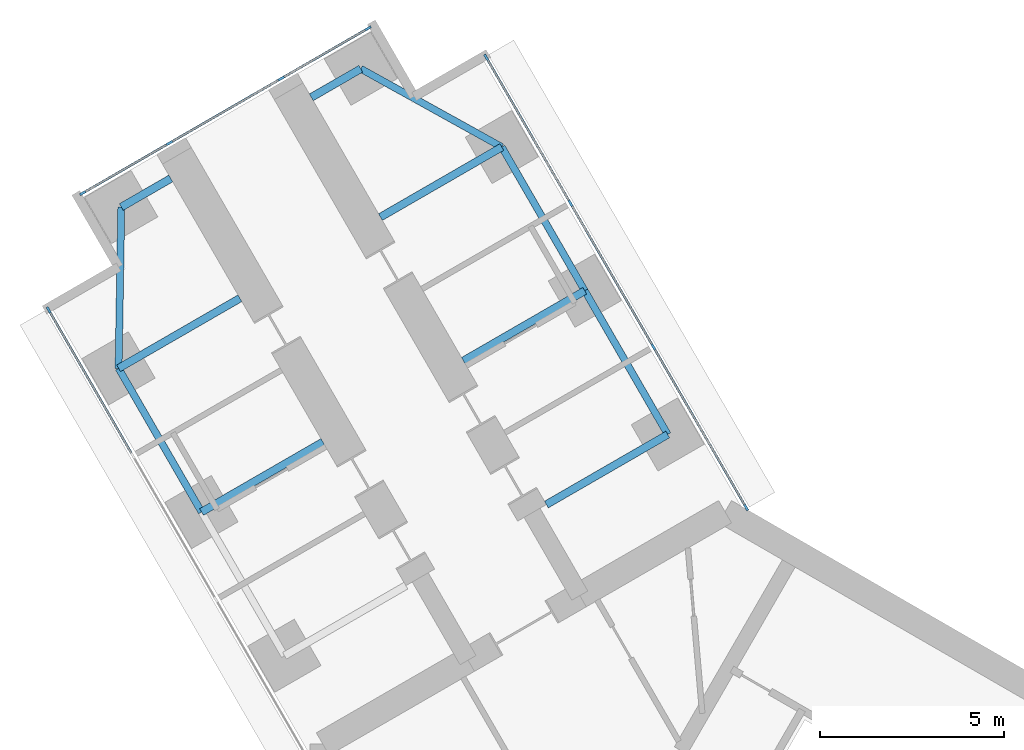
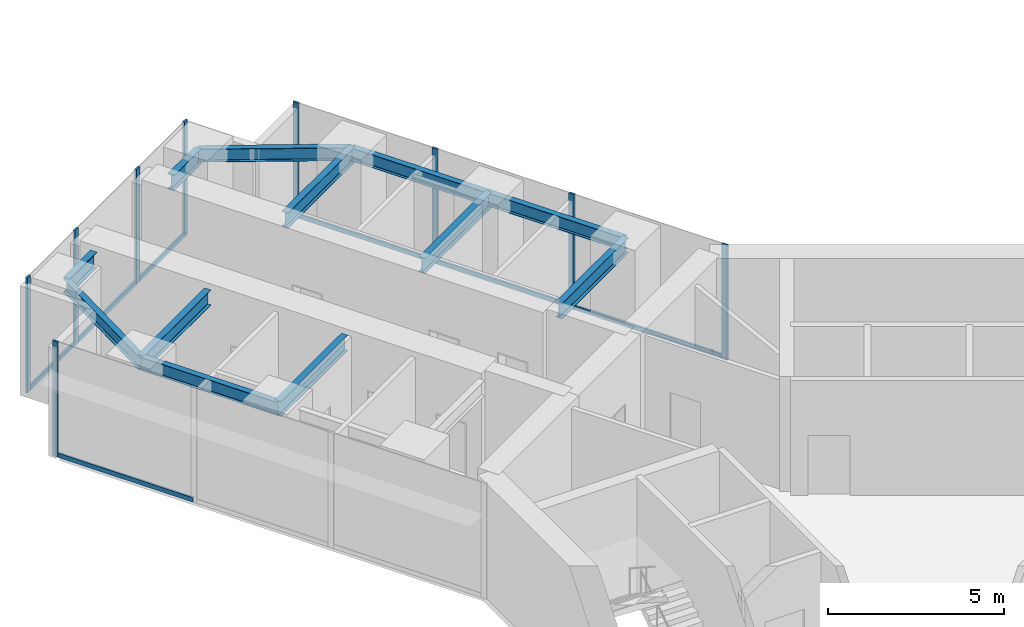
# One storey, part 7 of 24: 16 members, 12 beams, 3 elements without a shape of their own.
"""IFC4 building model written with IfcOpenShell, lengths in metres."""

import ifcopenshell
import ifcopenshell.guid

model = None  # the IFC model being written
_history = None  # IfcOwnerHistory: only IFC2X3 demands one
_inside = {}  # id of a spatial element -> (the spatial element, [elements in it])
_under = {}  # id of a project, library or spatial element -> (it, [spatial elements below it])
_declared = {}  # id of a project -> (the project, [libraries it declares])
_typed = {}  # id of a type object -> (the type object, [elements of that type])
_made_of = {}  # id of a material, layer set ... -> (it, [elements and type objects made of it])


def new_model(schema):
    """Start an empty IFC model of exactly this schema.

    Asked for "IFC4X3", IfcOpenShell would pick the latest addendum, in which some entities
    have other attributes; the version numbers below select the first issue.
    IFC2X3 requires an IfcOwnerHistory on every rooted entity: one is made here for all.
    """
    global model, _history
    if schema == "IFC4X3":
        model = ifcopenshell.file(schema_version=(4, 3, 0, 0))
    else:
        model = ifcopenshell.file(schema=schema)
    _inside.clear()
    _under.clear()
    _declared.clear()
    _typed.clear()
    _made_of.clear()
    _history = None
    if model.schema == "IFC2X3":
        org = make("IfcOrganization", Name="unknown")
        user = make(
            "IfcPersonAndOrganization",
            ThePerson=make("IfcPerson", FamilyName="unknown"),
            TheOrganization=org,
        )
        app = make(
            "IfcApplication",
            ApplicationDeveloper=org,
            Version="unknown",
            ApplicationFullName="unknown",
            ApplicationIdentifier="unknown",
        )
        _history = make(
            "IfcOwnerHistory",
            OwningUser=user,
            OwningApplication=app,
            ChangeAction="ADDED",
            CreationDate=0,
        )
    return model


def make(cls, **values):
    """One entity of the class cls with the attributes given. An attribute that is None is left unset."""
    return model.create_entity(
        cls, **{name: value for name, value in values.items() if value is not None}
    )


def rooted(cls, **values):
    """An entity with a GlobalId (a new one), such as an element, a storey or a relation."""
    return make(cls, GlobalId=ifcopenshell.guid.new(), OwnerHistory=_history, **values)


def si_unit(unit_type, name, prefix=None):
    """IfcSIUnit, for example si_unit("LENGTHUNIT", "METRE", prefix="MILLI")."""
    return make("IfcSIUnit", UnitType=unit_type, Prefix=prefix, Name=name)


def assignment(units):
    """IfcUnitAssignment: the units of a project."""
    return None if units is None else make("IfcUnitAssignment", Units=units)


def point(xyz):
    """IfcCartesianPoint."""
    return None if xyz is None else make("IfcCartesianPoint", Coordinates=xyz)


def direction(xyz):
    """IfcDirection."""
    return None if xyz is None else make("IfcDirection", DirectionRatios=xyz)


def frame(location, z_axis=None, x_axis=None):
    """IfcAxis2Placement3D, a coordinate frame: its origin and axes. An axis left out is left unset."""
    return make(
        "IfcAxis2Placement3D",
        Location=point(location),
        Axis=direction(z_axis),
        RefDirection=direction(x_axis),
    )


def frame_2d(location, x_axis=None):
    """IfcAxis2Placement2D, a coordinate frame in the plane: its origin and x axis."""
    return make(
        "IfcAxis2Placement2D", Location=point(location), RefDirection=direction(x_axis)
    )


def origin():
    """The frame at (0, 0, 0) with its axes left unset."""
    return frame((0.0, 0.0, 0.0))


def origin_2d():
    """The frame at (0, 0) in the plane with its x axis left unset."""
    return frame_2d((0.0, 0.0))


def place(relative_to, where):
    """IfcLocalPlacement: puts the frame where relative to a parent placement (None: the world)."""
    return make(
        "IfcLocalPlacement", PlacementRelTo=relative_to, RelativePlacement=where
    )


def context(
    kind, dimensions, precision=None, world=None, true_north=None, identifier=None
):
    """IfcGeometricRepresentationContext, for example the 3D "Model" context."""
    return make(
        "IfcGeometricRepresentationContext",
        ContextIdentifier=identifier,
        ContextType=kind,
        CoordinateSpaceDimension=dimensions,
        Precision=precision,
        WorldCoordinateSystem=world,
        TrueNorth=true_north,
    )


def subcontext(parent, identifier, kind, view, scale=None):
    """IfcGeometricRepresentationSubContext, for example "Body" below "Model"."""
    return make(
        "IfcGeometricRepresentationSubContext",
        ContextIdentifier=identifier,
        ContextType=kind,
        ParentContext=parent,
        TargetScale=scale,
        TargetView=view,
    )


def project(units=None, contexts=None):
    """IfcProject with its units and contexts."""
    return rooted(
        "IfcProject",
        Name="project",
        RepresentationContexts=contexts,
        UnitsInContext=assignment(units),
    )


def spatial(cls, under=None, at=None, **own):
    """A site, building, storey or space (cls), placed at a placement, below another one or the project."""
    s = rooted(cls, ObjectPlacement=at, **own)
    if under is not None:
        _under.setdefault(under.id(), (under, []))[1].append(s)
    return s


def profile(cls, at=None, kind="AREA", **sizes):
    """A parametric profile (cls). Its sizes go by their IFC names, for example OverallWidth=200.0."""
    return make(cls, ProfileType=kind, Position=at, **sizes)


def rectangle(**sizes):
    """IfcRectangleProfileDef."""
    return profile("IfcRectangleProfileDef", **sizes)


def i_section(**sizes):
    """IfcIShapeProfileDef."""
    return profile("IfcIShapeProfileDef", **sizes)


def extrude(swept, where, along, depth):
    """IfcExtrudedAreaSolid: the profile swept, set in the frame where, extruded along a direction by depth."""
    return make(
        "IfcExtrudedAreaSolid",
        SweptArea=swept,
        Position=where,
        ExtrudedDirection=direction(along),
        Depth=depth,
    )


def shape(context_of_items, identifier, shape_type, items):
    """IfcShapeRepresentation: the items that make up one representation, for example the "Body"."""
    return make(
        "IfcShapeRepresentation",
        ContextOfItems=context_of_items,
        RepresentationIdentifier=identifier,
        RepresentationType=shape_type,
        Items=items,
    )


def material(Name=None, Category=None):
    """IfcMaterial."""
    return make("IfcMaterial", Name=Name, Category=Category)


def material_profile(
    of_material, cross_section, Name=None, Category=None, Priority=None
):
    """IfcMaterialProfile: a cross section and its material."""
    return make(
        "IfcMaterialProfile",
        Name=Name,
        Material=of_material,
        Profile=cross_section,
        Priority=Priority,
        Category=Category,
    )


def profile_set(profiles, Name=None, composite=None):
    """IfcMaterialProfileSet."""
    return make(
        "IfcMaterialProfileSet",
        Name=Name,
        MaterialProfiles=profiles,
        CompositeProfile=composite,
    )


def made_of(thing, what):
    """Note that an element or type object is made of a material, layer set ...; save() writes the relation."""
    if what is not None:
        _made_of.setdefault(what.id(), (what, []))[1].append(thing)
    return thing


def type_object(cls, material=None, **own):
    """A type object (cls), such as IfcWallType, which elements share."""
    return made_of(rooted(cls, **own), material)


def element(
    cls,
    number,
    at=None,
    inside=None,
    cuts=None,
    type_object=None,
    material=None,
    context=None,
    identifier="Body",
    shape_type=None,
    held_by="IfcProductDefinitionShape",
    body=None,
    shapes=None,
    **own,
):
    """One element of the class cls, such as IfcWall. Its Tag is "e" and its number.

    at: its placement. inside: the storey or other place that contains it. cuts: it is an
    opening in that element (IfcRelVoidsElement). A single representation is given by context,
    identifier, shape_type and body (its items); several are given by shapes. held_by: the class
    of the entity that holds the representations. save() writes the other relations.
    """
    e = rooted(cls, Tag="e%d" % number, ObjectPlacement=at, **own)
    if body is not None:
        shapes = [shape(context, identifier, shape_type, body)]
    if shapes is not None:
        e.Representation = make(held_by, Representations=shapes)
    if inside is not None:
        _inside.setdefault(inside.id(), (inside, []))[1].append(e)
    if cuts is not None:
        rooted(
            "IfcRelVoidsElement", RelatingBuildingElement=cuts, RelatedOpeningElement=e
        )
    if type_object is not None:
        _typed.setdefault(type_object.id(), (type_object, []))[1].append(e)
    return made_of(e, material)


def aggregate(whole, parts):
    """IfcRelAggregates: a whole, such as a stair, and the parts it consists of."""
    return rooted("IfcRelAggregates", RelatingObject=whole, RelatedObjects=parts)


def save(model, path):
    """Write the relations noted so far, then the file.

    IfcRelAggregates (storeys below a building ...), IfcRelContainedInSpatialStructure (elements
    in a storey), IfcRelDefinesByType, IfcRelAssociatesMaterial and IfcRelDeclares: one each for
    every whole, place, type object, material and project.
    """
    for whole, parts in _under.values():
        aggregate(whole, parts)
    for where, things in _inside.values():
        rooted(
            "IfcRelContainedInSpatialStructure",
            RelatedElements=things,
            RelatingStructure=where,
        )
    for kind, things in _typed.values():
        rooted("IfcRelDefinesByType", RelatedObjects=things, RelatingType=kind)
    for what, things in _made_of.values():
        rooted("IfcRelAssociatesMaterial", RelatedObjects=things, RelatingMaterial=what)
    for by, libraries in _declared.values():
        rooted("IfcRelDeclares", RelatingContext=by, RelatedDefinitions=libraries)
    model.write(path)


model = new_model("IFC4")

# Units and contexts
model_context = context("Model", 3, precision=1e-05, world=origin(), true_north=direction((0.0, 1.0)))
body_context = subcontext(model_context, "Body", "Model", "MODEL_VIEW")
ifc_project = project(units=[si_unit("LENGTHUNIT", "METRE"), si_unit("AREAUNIT", "SQUARE_METRE"), si_unit("VOLUMEUNIT", "CUBIC_METRE"), si_unit("PLANEANGLEUNIT", "RADIAN"), si_unit("MASSUNIT", "GRAM", prefix="KILO")], contexts=[model_context])

# Site, building, storey
site_placement = place(None, origin())
site = spatial("IfcSite", under=ifc_project, at=site_placement, CompositionType="ELEMENT")
building_placement = place(site_placement, origin())
building = spatial("IfcBuilding", under=site, at=building_placement, Name="Upepo Twin Towers", CompositionType="ELEMENT")
storey_placement = place(building_placement, frame((0.0, 0.0, 64.5)))
storey = spatial("IfcBuildingStorey", under=building, at=storey_placement, Name="L15", CompositionType="ELEMENT", Elevation=64.5)

# Beams
ifc_material_1 = material(Name="Steel S355", Category="steel")
ifc_material_profile_1 = material_profile(ifc_material_1, i_section(OverallWidth=0.1904296875, OverallDepth=0.45703125, WebThickness=0.009033203125, FlangeThickness=0.014404296875, FilletRadius=0.01025390625, at=origin_2d()), Name="UB 457x191x74")
ifc_profile_set_1 = profile_set([ifc_material_profile_1], Name="Steel S355")
beam_type_1 = type_object("IfcBeamType", Name="Beam UB 457x191x74", PredefinedType="BEAM", material=ifc_profile_set_1)
beam_1_placement = place(storey_placement, frame((-14.196044921875, 12.58837890625, 3.571533203125), z_axis=(-0.499990139034, 0.866031096941, 0.0), x_axis=(-0.866031096941, -0.499990139034, 0.0)))
element("IfcBeam", 1, at=beam_1_placement, inside=storey, type_object=beam_type_1, Name="T1 edge beam BL 18.0-22.5", PredefinedType="BEAM", context=body_context, shape_type="SweptSolid", body=[
    extrude(i_section(OverallWidth=0.1904296875, OverallDepth=0.45703125, WebThickness=0.009033203125, FlangeThickness=0.014404296875, FilletRadius=0.01025390625, at=origin_2d()), origin(), (0.0, 0.0, 1.0), 4.5),
])
beam_2_placement = place(storey_placement, frame((-16.446044921875, 16.485595703125, 3.571533203125), z_axis=(0.016803880528, 0.999858804832, 0.0), x_axis=(-0.999858804832, 0.016803880528, 0.0)))
element("IfcBeam", 2, at=beam_2_placement, inside=storey, type_object=beam_type_1, Name="T1 nose edge beam BL", PredefinedType="BEAM", context=body_context, shape_type="SweptSolid", body=[
    extrude(i_section(OverallWidth=0.1904296875, OverallDepth=0.45703125, WebThickness=0.009033203125, FlangeThickness=0.014404296875, FilletRadius=0.01025390625, at=origin_2d()), origin(), (0.0, 0.0, 1.0), 4.373291015625),
])
beam_3_placement = place(storey_placement, frame((-1.553955078125, 14.69140625, 3.571533203125), z_axis=(-0.500013631625, 0.866017533419, 0.0), x_axis=(-0.866017533419, -0.500013631625, 0.0)))
element("IfcBeam", 3, at=beam_3_placement, inside=storey, type_object=beam_type_1, Name="T1 edge beam BR 13.5-18.0", PredefinedType="BEAM", context=body_context, shape_type="SweptSolid", body=[
    extrude(i_section(OverallWidth=0.1904296875, OverallDepth=0.45703125, WebThickness=0.009033203125, FlangeThickness=0.014404296875, FilletRadius=0.01025390625, at=origin_2d()), origin(), (0.0, 0.0, 1.0), 4.499755859375),
])
beam_4_placement = place(storey_placement, frame((-3.803955078125, 18.58837890625, 3.571533203125), z_axis=(-0.499990139034, 0.866031096941, 0.0), x_axis=(-0.866031096941, -0.499990139034, 0.0)))
element("IfcBeam", 4, at=beam_4_placement, inside=storey, type_object=beam_type_1, Name="T1 edge beam BR 18.0-22.5", PredefinedType="BEAM", context=body_context, shape_type="SweptSolid", body=[
    extrude(i_section(OverallWidth=0.1904296875, OverallDepth=0.45703125, WebThickness=0.009033203125, FlangeThickness=0.014404296875, FilletRadius=0.01025390625, at=origin_2d()), origin(), (0.0, 0.0, 1.0), 4.5),
])
beam_5_placement = place(storey_placement, frame((-6.053955078125, 22.485595703125, 3.571533203125), z_axis=(-0.874312600038, 0.485363242752, 0.0), x_axis=(-0.485363242752, -0.874312600038, 0.0)))
element("IfcBeam", 5, at=beam_5_placement, inside=storey, type_object=beam_type_1, Name="T1 nose edge beam BR", PredefinedType="BEAM", context=body_context, shape_type="SweptSolid", body=[
    extrude(i_section(OverallWidth=0.1904296875, OverallDepth=0.45703125, WebThickness=0.009033203125, FlangeThickness=0.014404296875, FilletRadius=0.01025390625, at=origin_2d()), origin(), (0.0, 0.0, 1.0), 4.373046875),
])
ifc_material_2 = material(Name="Steel S355", Category="steel")
ifc_material_profile_2 = material_profile(ifc_material_2, i_section(OverallWidth=0.2119140625, OverallDepth=0.54443359375, WebThickness=0.0126953125, FlangeThickness=0.021240234375, FilletRadius=0.0126953125, at=origin_2d()), Name="UB 533x210x122")
ifc_profile_set_2 = profile_set([ifc_material_profile_2], Name="Steel S355")
beam_type_2 = type_object("IfcBeamType", Name="Beam UB 533x210x122", PredefinedType="BEAM", material=ifc_profile_set_2)
for number, where, z_axis, x_axis, name in (
    (6, (-16.37255859375, 20.858154296875, 3.52783203125), (0.866043940782, 0.499967891604, 0.0), (-0.499967891604, 0.866043940782, 0.0), "T1 nose beam BL"),
    (7, (-9.87744140625, 24.608154296875, 3.52783203125), (-0.866043940782, -0.499967891604, 0.0), (0.499967891604, -0.866043940782, 0.0), "T1 nose beam BR"),
):
    element("IfcBeam", number, at=place(storey_placement, frame(where, z_axis=z_axis, x_axis=x_axis)), inside=storey, type_object=beam_type_2, Name=name, PredefinedType="BEAM", context=body_context, shape_type="SweptSolid", body=[
        extrude(i_section(OverallWidth=0.2119140625, OverallDepth=0.54443359375, WebThickness=0.0126953125, FlangeThickness=0.021240234375, FilletRadius=0.0126953125, at=origin_2d()), origin(), (0.0, 0.0, 1.0), 1.5498046875),
    ])
ifc_material_3 = material(Name="Steel S355", Category="steel")
ifc_material_profile_3 = material_profile(ifc_material_3, i_section(OverallWidth=0.209228515625, OverallDepth=0.533203125, WebThickness=0.010009765625, FlangeThickness=0.015625, FilletRadius=0.0126953125, at=origin_2d()), Name="UB 533x210x92")
ifc_profile_set_3 = profile_set([ifc_material_profile_3], Name="Steel S355")
beam_type_3 = type_object("IfcBeamType", Name="Beam UB 533x210x92", PredefinedType="BEAM", material=ifc_profile_set_3)
beam_6_placement = place(storey_placement, frame((-14.196044921875, 12.58837890625, 3.533447265625), z_axis=(0.866000483506, 0.500043160704, 0.0), x_axis=(-0.500043160704, 0.866000483506, 0.0)))
element("IfcBeam", 8, at=beam_6_placement, inside=storey, type_object=beam_type_3, Name="T1 girder BL at 18.0", PredefinedType="BEAM", context=body_context, shape_type="SweptSolid", body=[
    extrude(i_section(OverallWidth=0.209228515625, OverallDepth=0.533203125, WebThickness=0.010009765625, FlangeThickness=0.015625, FilletRadius=0.0126953125, at=origin_2d()), origin(), (0.0, 0.0, 1.0), 3.800048828125),
])
beam_7_placement = place(storey_placement, frame((-16.446044921875, 16.485595703125, 3.533447265625), z_axis=(0.866028304915, 0.499994975061, 0.0), x_axis=(-0.499994975061, 0.866028304915, 0.0)))
element("IfcBeam", 9, at=beam_7_placement, inside=storey, type_object=beam_type_3, Name="T1 girder BL at 22.5", PredefinedType="BEAM", context=body_context, shape_type="SweptSolid", body=[
    extrude(i_section(OverallWidth=0.209228515625, OverallDepth=0.533203125, WebThickness=0.010009765625, FlangeThickness=0.015625, FilletRadius=0.0126953125, at=origin_2d()), origin(), (0.0, 0.0, 1.0), 3.7998046875),
])
beam_8_placement = place(storey_placement, frame((-1.553955078125, 14.69140625, 3.533447265625), z_axis=(-0.866000483506, -0.500043160704, 0.0), x_axis=(0.500043160704, -0.866000483506, 0.0)))
element("IfcBeam", 10, at=beam_8_placement, inside=storey, type_object=beam_type_3, Name="T1 girder BR at 13.5", PredefinedType="BEAM", context=body_context, shape_type="SweptSolid", body=[
    extrude(i_section(OverallWidth=0.209228515625, OverallDepth=0.533203125, WebThickness=0.010009765625, FlangeThickness=0.015625, FilletRadius=0.0126953125, at=origin_2d()), origin(), (0.0, 0.0, 1.0), 3.800048828125),
])
for number, where, z_axis, x_axis, name in (
    (11, (-3.803955078125, 18.58837890625, 3.533447265625), (-0.866028304915, -0.499994975061, 0.0), (0.499994975061, -0.866028304915, 0.0), "T1 girder BR at 18.0"),
    (12, (-6.053955078125, 22.485595703125, 3.533447265625), (-0.866028304915, -0.499994975061, 0.0), (0.499994975061, -0.866028304915, 0.0), "T1 girder BR at 22.5"),
):
    element("IfcBeam", number, at=place(storey_placement, frame(where, z_axis=z_axis, x_axis=x_axis)), inside=storey, type_object=beam_type_3, Name=name, PredefinedType="BEAM", context=body_context, shape_type="SweptSolid", body=[
        extrude(i_section(OverallWidth=0.209228515625, OverallDepth=0.533203125, WebThickness=0.010009765625, FlangeThickness=0.015625, FilletRadius=0.0126953125, at=origin_2d()), origin(), (0.0, 0.0, 1.0), 3.7998046875),
    ])

# Curtain wall, member
ifc_material_4 = material(Name="Aluminium and fritted glass", Category="aluminium")
curtain_wall_type = type_object("IfcCurtainWallType", Name="Tower curtain wall TW1, fritted glass", PredefinedType="NOTDEFINED", material=ifc_material_4)
curtain_wall_1_placement = place(storey_placement, origin())
curtain_wall_1 = element("IfcCurtainWall", 13, at=curtain_wall_1_placement, inside=storey, type_object=curtain_wall_type, Name="T1 L15 wing B flank L curtain wall", PredefinedType="NOTDEFINED")
ifc_material_5 = material(Name="Aluminium mullion", Category="aluminium")
ifc_material_profile_4 = material_profile(ifc_material_5, rectangle(XDim=0.06494140625, YDim=0.179931640625, at=origin_2d()), Name="MULLION 65x180")
ifc_profile_set_4 = profile_set([ifc_material_profile_4], Name="Aluminium mullion")
member_type_1 = type_object("IfcMemberType", Name="Mullion 65x180 TW1", PredefinedType="MULLION", material=ifc_profile_set_4)
member_1_placement = place(storey_placement, frame((-18.341064453125, 18.067626953125, 0.0), z_axis=(0.0, 0.0, 1.0), x_axis=(-0.866025389682, -0.500000024426, 0.0)))
member_1 = element("IfcMember", 14, at=member_1_placement, type_object=member_type_1, Name="T1 L15 wing B flank L curtain wall mullion 4", PredefinedType="MULLION", context=body_context, shape_type="SweptSolid", body=[
    extrude(rectangle(XDim=0.06494140625, YDim=0.179931640625, at=origin_2d()), origin(), (0.0, 0.0, 1.0), 4.0),
])

# Curtain wall, members
curtain_wall_2_placement = place(storey_placement, origin())
curtain_wall_2 = element("IfcCurtainWall", 15, at=curtain_wall_2_placement, inside=storey, type_object=curtain_wall_type, Name="T1 L15 wing B flank R curtain wall", PredefinedType="NOTDEFINED")
member_2_placement = place(storey_placement, frame((-6.4765625, 24.91748046875, 0.0), z_axis=(0.0, 0.0, 1.0), x_axis=(0.866025389682, 0.500000024426, 0.0)))
member_2 = element("IfcMember", 16, at=member_2_placement, type_object=member_type_1, Name="T1 L15 wing B flank R curtain wall mullion 1", PredefinedType="MULLION", context=body_context, shape_type="SweptSolid", body=[
    extrude(rectangle(XDim=0.06494140625, YDim=0.179931640625, at=origin_2d()), origin(), (0.0, 0.0, 1.0), 4.0),
])
member_3_placement = place(storey_placement, frame((-4.192626953125, 20.9619140625, 0.0), z_axis=(0.0, 0.0, 1.0), x_axis=(0.866025389682, 0.500000024426, 0.0)))
member_3 = element("IfcMember", 17, at=member_3_placement, type_object=member_type_1, Name="T1 L15 wing B flank R curtain wall mullion 2", PredefinedType="MULLION", context=body_context, shape_type="SweptSolid", body=[
    extrude(rectangle(XDim=0.06494140625, YDim=0.179931640625, at=origin_2d()), origin(), (0.0, 0.0, 1.0), 4.0),
])
member_4_placement = place(storey_placement, frame((-1.942626953125, 17.06494140625, 0.0), z_axis=(0.0, 0.0, 1.0), x_axis=(0.866025389682, 0.500000024426, 0.0)))
member_4 = element("IfcMember", 18, at=member_4_placement, type_object=member_type_1, Name="T1 L15 wing B flank R curtain wall mullion 3", PredefinedType="MULLION", context=body_context, shape_type="SweptSolid", body=[
    extrude(rectangle(XDim=0.06494140625, YDim=0.179931640625, at=origin_2d()), origin(), (0.0, 0.0, 1.0), 4.0),
])
member_5_placement = place(storey_placement, frame((0.572509765625, 12.70849609375, 0.0), z_axis=(0.0, 0.0, 1.0), x_axis=(0.866025389682, 0.500000024426, 0.0)))
member_5 = element("IfcMember", 19, at=member_5_placement, type_object=member_type_1, Name="T1 L15 wing B flank R curtain wall mullion 4", PredefinedType="MULLION", context=body_context, shape_type="SweptSolid", body=[
    extrude(rectangle(XDim=0.06494140625, YDim=0.179931640625, at=origin_2d()), origin(), (0.0, 0.0, 1.0), 4.0),
])

curtain_wall_3_placement = place(storey_placement, origin())
curtain_wall_3 = element("IfcCurtainWall", 20, at=curtain_wall_3_placement, inside=storey, type_object=curtain_wall_type, Name="T1 L15 wing B nose curtain wall", PredefinedType="NOTDEFINED")
member_6_placement = place(storey_placement, frame((-9.68115234375, 25.703125, 0.0), z_axis=(0.0, 0.0, 1.0), x_axis=(0.500000030502, -0.866025386174, 0.0)))
member_6 = element("IfcMember", 21, at=member_6_placement, type_object=member_type_1, Name="T1 L15 wing B nose curtain wall mullion 1", PredefinedType="MULLION", context=body_context, shape_type="SweptSolid", body=[
    extrude(rectangle(XDim=0.06494140625, YDim=0.179931640625, at=origin_2d()), origin(), (0.0, 0.0, 1.0), 4.0),
])
member_7_placement = place(storey_placement, frame((-12.034423828125, 24.34423828125, 0.0), z_axis=(0.0, 0.0, 1.0), x_axis=(0.500000030502, -0.866025386174, 0.0)))
member_7 = element("IfcMember", 22, at=member_7_placement, type_object=member_type_1, Name="T1 L15 wing B nose curtain wall mullion 2", PredefinedType="MULLION", context=body_context, shape_type="SweptSolid", body=[
    extrude(rectangle(XDim=0.06494140625, YDim=0.179931640625, at=origin_2d()), origin(), (0.0, 0.0, 1.0), 4.0),
])
member_8_placement = place(storey_placement, frame((-15.0654296875, 22.59423828125, 0.0), z_axis=(0.0, 0.0, 1.0), x_axis=(0.500000030502, -0.866025386174, 0.0)))
member_8 = element("IfcMember", 23, at=member_8_placement, type_object=member_type_1, Name="T1 L15 wing B nose curtain wall mullion 3", PredefinedType="MULLION", context=body_context, shape_type="SweptSolid", body=[
    extrude(rectangle(XDim=0.06494140625, YDim=0.179931640625, at=origin_2d()), origin(), (0.0, 0.0, 1.0), 4.0),
])
member_9_placement = place(storey_placement, frame((-17.4189453125, 21.235595703125, 0.0), z_axis=(0.0, 0.0, 1.0), x_axis=(0.500000030502, -0.866025386174, 0.0)))
member_9 = element("IfcMember", 24, at=member_9_placement, type_object=member_type_1, Name="T1 L15 wing B nose curtain wall mullion 4", PredefinedType="MULLION", context=body_context, shape_type="SweptSolid", body=[
    extrude(rectangle(XDim=0.06494140625, YDim=0.179931640625, at=origin_2d()), origin(), (0.0, 0.0, 1.0), 4.0),
])

# Member
ifc_material_6 = material(Name="Aluminium transom", Category="aluminium")
ifc_material_profile_5 = material_profile(ifc_material_6, rectangle(XDim=0.06494140625, YDim=0.14990234375, at=origin_2d()), Name="TRANSOM 65x150")
ifc_profile_set_5 = profile_set([ifc_material_profile_5], Name="Aluminium transom")
member_type_2 = type_object("IfcMemberType", Name="Transom 65x150 TW1", PredefinedType="USERDEFINED", material=ifc_profile_set_5)
member_10_placement = place(storey_placement, frame((-16.073486328125, 14.14013671875, 0.074951171875), z_axis=(-0.499982167615, 0.866035699072, 0.0), x_axis=(-0.866035699072, -0.499982167615, 0.0)))
member_10 = element("IfcMember", 25, at=member_10_placement, type_object=member_type_2, Name="T1 L15 wing B flank L curtain wall transom 3", ObjectType="TRANSOM", PredefinedType="USERDEFINED", context=body_context, shape_type="SweptSolid", body=[
    extrude(rectangle(XDim=0.06494140625, YDim=0.14990234375, at=origin_2d()), origin(), (0.0, 0.0, 1.0), 4.502685546875),
])

aggregate(curtain_wall_1, [member_1, member_10])

member_11_placement = place(storey_placement, frame((-6.460205078125, 24.889404296875, 0.074951171875), z_axis=(0.500005646842, -0.866022143554, 0.0), x_axis=(0.866022143554, 0.500005646842, 0.0)))
member_11 = element("IfcMember", 26, at=member_11_placement, type_object=member_type_2, Name="T1 L15 wing B flank R curtain wall transom 1", ObjectType="TRANSOM", PredefinedType="USERDEFINED", context=body_context, shape_type="SweptSolid", body=[
    extrude(rectangle(XDim=0.06494140625, YDim=0.14990234375, at=origin_2d()), origin(), (0.0, 0.0, 1.0), 4.50244140625),
])

member_12_placement = place(storey_placement, frame((-4.176513671875, 20.933837890625, 0.074951171875), z_axis=(0.500005184116, -0.866022410713, 0.0), x_axis=(0.866022410713, 0.500005184116, 0.0)))
member_12 = element("IfcMember", 27, at=member_12_placement, type_object=member_type_2, Name="T1 L15 wing B flank R curtain wall transom 2", ObjectType="TRANSOM", PredefinedType="USERDEFINED", context=body_context, shape_type="SweptSolid", body=[
    extrude(rectangle(XDim=0.06494140625, YDim=0.14990234375, at=origin_2d()), origin(), (0.0, 0.0, 1.0), 4.43505859375),
])

member_13_placement = place(storey_placement, frame((-1.926513671875, 17.036865234375, 0.074951171875), z_axis=(0.499983492876, -0.866034933967, 0.0), x_axis=(0.866034933967, 0.499983492876, 0.0)))
member_13 = element("IfcMember", 28, at=member_13_placement, type_object=member_type_2, Name="T1 L15 wing B flank R curtain wall transom 3", ObjectType="TRANSOM", PredefinedType="USERDEFINED", context=body_context, shape_type="SweptSolid", body=[
    extrude(rectangle(XDim=0.06494140625, YDim=0.14990234375, at=origin_2d()), origin(), (0.0, 0.0, 1.0), 4.965576171875),
])

aggregate(curtain_wall_2, [member_2, member_3, member_4, member_5, member_11, member_12, member_13])

member_14_placement = place(storey_placement, frame((-9.709228515625, 25.686767578125, 0.074951171875), z_axis=(-0.866036909293, -0.499980071345, 0.0), x_axis=(0.499980071345, -0.866036909293, 0.0)))
member_14 = element("IfcMember", 29, at=member_14_placement, type_object=member_type_2, Name="T1 L15 wing B nose curtain wall transom 1", ObjectType="TRANSOM", PredefinedType="USERDEFINED", context=body_context, shape_type="SweptSolid", body=[
    extrude(rectangle(XDim=0.06494140625, YDim=0.14990234375, at=origin_2d()), origin(), (0.0, 0.0, 1.0), 2.65234375),
])

member_15_placement = place(storey_placement, frame((-12.0625, 24.328125, 0.074951171875), z_axis=(-0.866025804792, -0.499999305434, 0.0), x_axis=(0.499999305434, -0.866025804792, 0.0)))
member_15 = element("IfcMember", 30, at=member_15_placement, type_object=member_type_2, Name="T1 L15 wing B nose curtain wall transom 2", ObjectType="TRANSOM", PredefinedType="USERDEFINED", context=body_context, shape_type="SweptSolid", body=[
    extrude(rectangle(XDim=0.06494140625, YDim=0.14990234375, at=origin_2d()), origin(), (0.0, 0.0, 1.0), 3.43505859375),
])

member_16_placement = place(storey_placement, frame((-15.09375, 22.578125, 0.074951171875), z_axis=(-0.865997053448, -0.500049101008, 0.0), x_axis=(0.500049101008, -0.865997053448, 0.0)))
member_16 = element("IfcMember", 31, at=member_16_placement, type_object=member_type_2, Name="T1 L15 wing B nose curtain wall transom 3", ObjectType="TRANSOM", PredefinedType="USERDEFINED", context=body_context, shape_type="SweptSolid", body=[
    extrude(rectangle(XDim=0.06494140625, YDim=0.14990234375, at=origin_2d()), origin(), (0.0, 0.0, 1.0), 2.652587890625),
])

aggregate(curtain_wall_3, [member_6, member_7, member_8, member_9, member_14, member_15, member_16])

save(model, "model.ifc")
